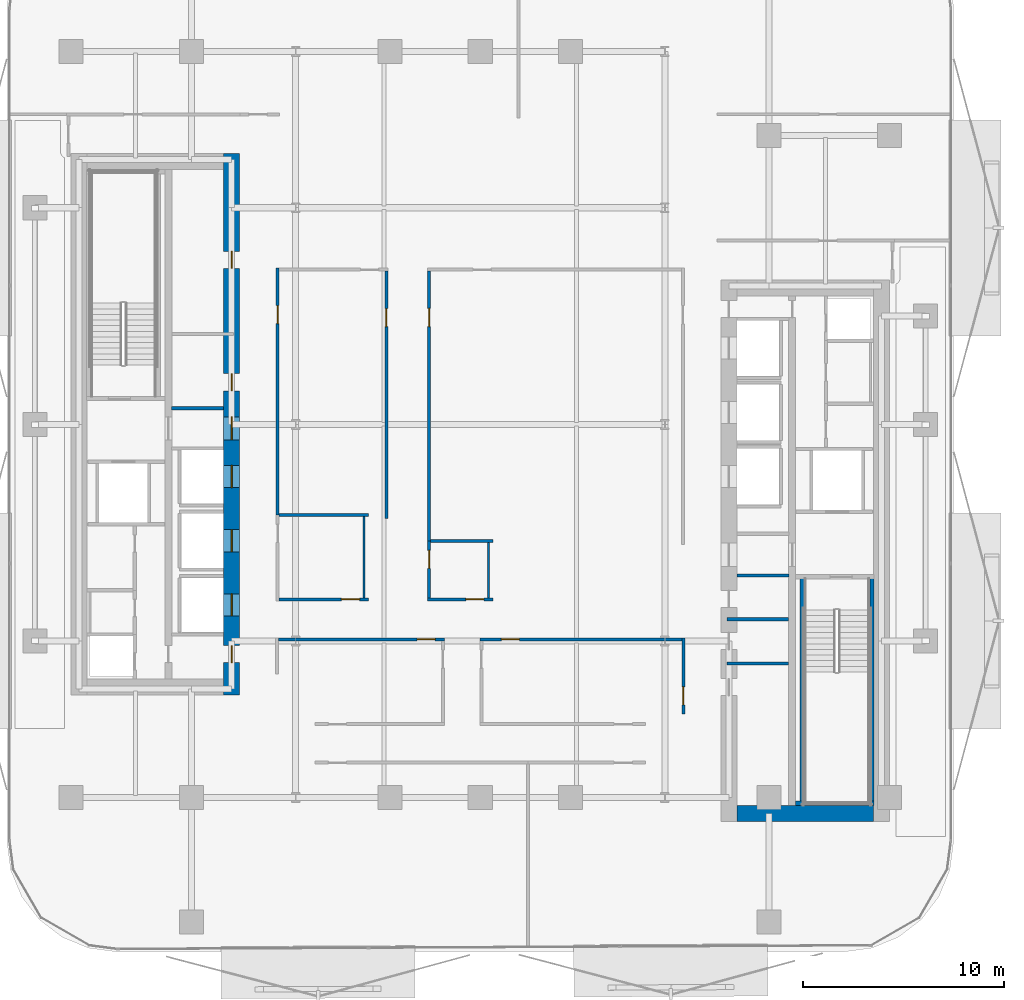
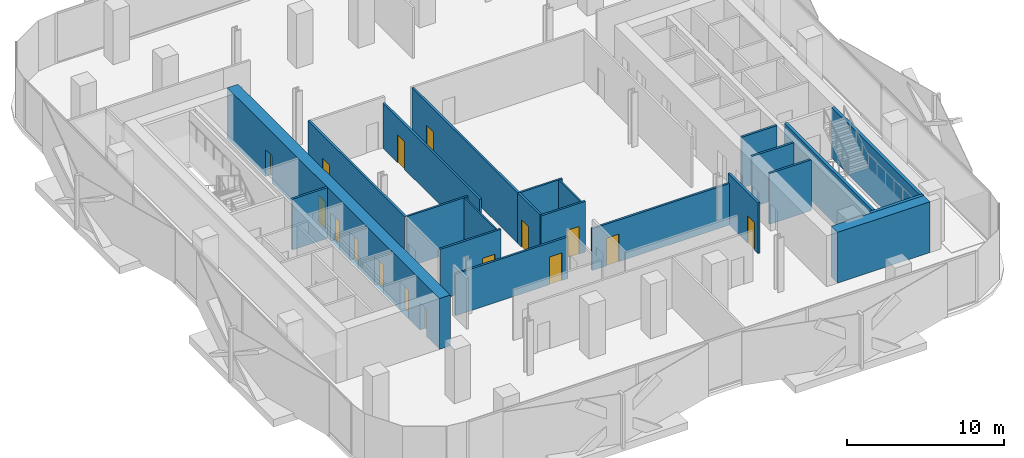
# One storey, part 4 of 16: 22 walls, 16 doors, 16 openings.
"""IFC4 building model written with IfcOpenShell, lengths in metres."""

from ifc_helpers import new_model, si_unit, direction, frame, frame_2d, origin, place, context, subcontext, project, spatial, rectangle, extrude, material, layer, layer_set, type_object, element, fill, save


model = new_model("IFC4")

# Units and contexts
model_context = context("Model", 3, precision=1e-05, world=origin(), true_north=direction((0.0, 1.0)))
body_context = subcontext(model_context, "Body", "Model", "MODEL_VIEW")
ifc_project = project(units=[si_unit("LENGTHUNIT", "METRE"), si_unit("AREAUNIT", "SQUARE_METRE"), si_unit("VOLUMEUNIT", "CUBIC_METRE"), si_unit("PLANEANGLEUNIT", "RADIAN"), si_unit("MASSUNIT", "GRAM", prefix="KILO")], contexts=[model_context])

# Site, building, storey
site_placement = place(None, origin())
site = spatial("IfcSite", under=ifc_project, at=site_placement, CompositionType="ELEMENT")
building_placement = place(site_placement, origin())
building = spatial("IfcBuilding", under=site, at=building_placement, Name="Khairoan Windgate Tower", CompositionType="ELEMENT")
storey_placement = place(building_placement, frame((0.0, 0.0, 97.39990234375)))
storey = spatial("IfcBuildingStorey", under=building, at=storey_placement, Name="L22", CompositionType="ELEMENT", Elevation=97.39990234375)

# Walls
ifc_material_1 = material(Name="Moisture-Resistant Gypsum Partition", Category="gypsum")
ifc_layer_1 = layer(ifc_material_1, 0.10009765625, Name="Moisture-Resistant Gypsum Partition")
ifc_layer_set_1 = layer_set([ifc_layer_1], Name="Moisture-Resistant Gypsum Partition")
wall_type_1 = type_object("IfcWallType", Name="Bathroom Wet-Area Partition Wall", PredefinedType="PARTITIONING", material=ifc_layer_set_1)
wall_1_placement = place(storey_placement, frame((0.39990234375, -5.889892578125, 0.0), z_axis=(0.0, 0.0, 1.0), x_axis=(0.0, -1.0, 0.0)))
element("IfcWall", 1, at=wall_1_placement, inside=storey, type_object=wall_type_1, Name="L22 Wet Room Side Wall 048", PredefinedType="PARTITIONING", context=body_context, shape_type="SweptSolid", body=[
    extrude(rectangle(XDim=2.755126953125, YDim=0.10009765625, at=frame_2d((1.37744140625, 0.0))), origin(), (0.0, 0.0, 1.0), 3.940185546875),
])
wall_2_placement = place(storey_placement, frame((-5.800048828125, -4.590087890625, 0.0), z_axis=(0.0, 0.0, 1.0), x_axis=(0.0, -1.0, 0.0)))
element("IfcWall", 2, at=wall_2_placement, inside=storey, type_object=wall_type_1, Name="L22 Wet Room Side Wall 049", PredefinedType="PARTITIONING", context=body_context, shape_type="SweptSolid", body=[
    extrude(rectangle(XDim=4.054931640625, YDim=0.10009765625, at=frame_2d((2.02734375, 0.0))), origin(), (0.0, 0.0, 1.0), 3.940185546875),
])
ifc_material_2 = material(Name="Concrete C40/50", Category="concrete")
ifc_layer_2 = layer(ifc_material_2, 0.159912109375, Name="Concrete C40/50")
ifc_layer_set_2 = layer_set([ifc_layer_2], Name="Concrete C40/50")
wall_type_2 = type_object("IfcWallType", Name="Core and Hoistway Enclosure Wall", PredefinedType="STANDARD", material=ifc_layer_set_2)
for number, where, z_axis, x_axis, name in (
    (3, (-15.39990234375, 0.800048828125, 0.0), (0.0, 0.0, 1.0), (1.0, 0.0, 0.0), "L22 Core Shaft Wall SW-WV1-L22"),
    (4, (12.800048828125, -7.5400390625, 0.0), (0.0, 0.0, 1.0), (1.0, 0.0, 0.0), "L22 Core Shaft Wall SW-EV2-L22"),
):
    element("IfcWall", number, at=place(storey_placement, frame(where, z_axis=z_axis, x_axis=x_axis)), inside=storey, type_object=wall_type_2, Name=name, PredefinedType="STANDARD", context=body_context, shape_type="SweptSolid", body=[
        extrude(rectangle(XDim=2.599853515625, YDim=0.159912109375, at=frame_2d((1.2998046875, 0.0))), origin(), (0.0, 0.0, 1.0), 3.940185546875),
    ])
ifc_material_3 = material(Name="Acoustic Fire-Rated Gypsum Partition", Category="gypsum")
ifc_layer_3 = layer(ifc_material_3, 0.139892578125, Name="Acoustic Fire-Rated Gypsum Partition")
ifc_layer_set_3 = layer_set([ifc_layer_3], Name="Acoustic Fire-Rated Gypsum Partition")
wall_type_3 = type_object("IfcWallType", Name="Inter-Tenancy Compartment Wall", PredefinedType="PARTITIONING", material=ifc_layer_set_3)
wall_3_placement = place(storey_placement, frame((-2.469970703125, -5.820068359375, 0.0), z_axis=(0.0, 0.0, 1.0), x_axis=(1.0, 0.0, 0.0)))
element("IfcWall", 5, at=wall_3_placement, inside=storey, type_object=wall_type_3, Name="L22 Interior Partition 044", PredefinedType="PARTITIONING", context=body_context, shape_type="SweptSolid", body=[
    extrude(rectangle(XDim=3.10986328125, YDim=0.139892578125, at=frame_2d((1.554931640625, 0.0))), origin(), (0.0, 0.0, 1.0), 3.940185546875),
])
wall_4_placement = place(storey_placement, frame((-10.02490234375, -4.52001953125, 0.0), z_axis=(0.0, 0.0, 1.0), x_axis=(1.0, 0.0, 0.0)))
element("IfcWall", 6, at=wall_4_placement, inside=storey, type_object=wall_type_3, Name="L22 Interior Partition 045", PredefinedType="PARTITIONING", context=body_context, shape_type="SweptSolid", body=[
    extrude(rectangle(XDim=4.46484375, YDim=0.139892578125, at=frame_2d((2.232421875, 0.0))), origin(), (0.0, 0.0, 1.0), 3.940185546875),
])
ifc_material_4 = material(Name="Concrete C40/50", Category="concrete")
ifc_layer_4 = layer(ifc_material_4, 0.159912109375, Name="Concrete C40/50")
ifc_layer_set_4 = layer_set([ifc_layer_4], Name="Concrete C40/50")
wall_type_4 = type_object("IfcWallType", Name="Plant and Refuge Compartment Wall", PredefinedType="PARTITIONING", material=ifc_layer_set_4)
for number, where, z_axis, x_axis, name in (
    (7, (12.31005859375, -11.919921875, 0.0), (0.0, 0.0, 1.0), (1.0, 0.0, 0.0), "L22 Interior Partition 012"),
    (8, (12.31005859375, -9.719970703125, 0.0), (0.0, 0.0, 1.0), (1.0, 0.0, 0.0), "L22 Interior Partition 013"),
):
    element("IfcWall", number, at=place(storey_placement, frame(where, z_axis=z_axis, x_axis=x_axis)), inside=storey, type_object=wall_type_4, Name=name, PredefinedType="PARTITIONING", context=body_context, shape_type="SweptSolid", body=[
        extrude(rectangle(XDim=3.06494140625, YDim=0.159912109375, at=frame_2d((1.532470703125, 0.0))), origin(), (0.0, 0.0, 1.0), 3.940185546875),
    ])

# Wall, opening, door
ifc_material_5 = material(Name="Acoustic Fire-Rated Gypsum Partition", Category="gypsum")
ifc_layer_5 = layer(ifc_material_5, 0.14990234375, Name="Acoustic Fire-Rated Gypsum Partition")
ifc_layer_set_5 = layer_set([ifc_layer_5], Name="Acoustic Fire-Rated Gypsum Partition")
wall_type_5 = type_object("IfcWallType", Name="Rated Corridor Partition Wall", PredefinedType="PARTITIONING", material=ifc_layer_set_5)
wall_5_placement = place(storey_placement, frame((-10.10009765625, -4.52001953125, 0.0), z_axis=(0.0, 0.0, 1.0), x_axis=(0.0, 1.0, 0.0)))
wall_5 = element("IfcWall", 9, at=wall_5_placement, inside=storey, type_object=wall_type_5, Name="L22 Interior Partition 016", PredefinedType="PARTITIONING", context=body_context, shape_type="SweptSolid", body=[
    extrude(rectangle(XDim=12.31494140625, YDim=0.14990234375, at=frame_2d((6.157470703125, 0.0))), origin(), (0.0, 0.0, 1.0), 3.940185546875),
])
opening_1_placement = place(wall_5_placement, frame((9.542236328125, 0.0, 0.0)))
opening_1 = element("IfcOpeningElement", 10, at=opening_1_placement, cuts=wall_5, Name="Opening FD-ENT", PredefinedType="OPENING", context=body_context, shape_type="SweptSolid", body=[
    extrude(rectangle(XDim=0.89990234375, YDim=2.14990234375, at=frame_2d((0.449951171875, 1.074951171875))), frame((0.0, 0.0849609375, 0.0), z_axis=(0.0, -1.0, 0.0), x_axis=(1.0, 0.0, 0.0)), (0.0, 0.0, 1.0), 0.169921875),
])
ifc_material_6 = material(Name="Timber Fire-Rated Core", Category="wood")
door_type_1 = type_object("IfcDoorType", Name="Unit and Office Fire Entrance Door FD-ENT 900x2150", OperationType="NOTDEFINED", PredefinedType="DOOR", material=ifc_material_6)
door_1_placement = place(opening_1_placement, origin())
door_1 = element("IfcDoor", 11, at=door_1_placement, inside=storey, type_object=door_type_1, Name="L22 L22-30-L22-49 Door", OperationType="SINGLE_SWING_RIGHT", OverallHeight=2.14990234375, OverallWidth=0.89990234375, PredefinedType="DOOR", context=body_context, shape_type="SweptSolid", body=[
    extrude(rectangle(XDim=0.89990234375, YDim=2.14990234375, at=frame_2d((0.449951171875, 1.074951171875))), frame((0.0, 0.02490234375, 0.0), z_axis=(0.0, -1.0, 0.0), x_axis=(1.0, 0.0, 0.0)), (0.0, 0.0, 1.0), 0.050048828125),
])
fill(opening_1, door_1)

wall_6_placement = place(storey_placement, frame((10.125, -14.43994140625, 0.0), z_axis=(0.0, 0.0, 1.0), x_axis=(0.0, 1.0, 0.0)))
wall_6 = element("IfcWall", 12, at=wall_6_placement, inside=storey, type_object=wall_type_5, Name="L22 Interior Partition 019", PredefinedType="PARTITIONING", context=body_context, shape_type="SweptSolid", body=[
    extrude(rectangle(XDim=3.800048828125, YDim=0.14990234375, at=frame_2d((1.89990234375, 0.0))), origin(), (0.0, 0.0, 1.0), 3.940185546875),
])
opening_2_placement = place(wall_6_placement, frame((0.4599609375, 0.0, 0.0)))
opening_2 = element("IfcOpeningElement", 13, at=opening_2_placement, cuts=wall_6, Name="Opening FD-ENT", PredefinedType="OPENING", context=body_context, shape_type="SweptSolid", body=[
    extrude(rectangle(XDim=0.89990234375, YDim=2.14990234375, at=frame_2d((0.449951171875, 1.074951171875))), frame((0.0, 0.0849609375, 0.0), z_axis=(0.0, -1.0, 0.0), x_axis=(1.0, 0.0, 0.0)), (0.0, 0.0, 1.0), 0.169921875),
])
door_2_placement = place(opening_2_placement, origin())
door_2 = element("IfcDoor", 14, at=door_2_placement, inside=storey, type_object=door_type_1, Name="L22 L22-31-L22-51 Door", OperationType="SINGLE_SWING_LEFT", OverallHeight=2.14990234375, OverallWidth=0.89990234375, PredefinedType="DOOR", context=body_context, shape_type="SweptSolid", body=[
    extrude(rectangle(XDim=0.89990234375, YDim=2.14990234375, at=frame_2d((0.449951171875, 1.074951171875))), frame((0.0, 0.02490234375, 0.0), z_axis=(0.0, -1.0, 0.0), x_axis=(1.0, 0.0, 0.0)), (0.0, 0.0, 1.0), 0.050048828125),
])
fill(opening_2, door_2)

wall_7_placement = place(storey_placement, frame((-2.6201171875, -8.719970703125, 0.0), z_axis=(0.0, 0.0, 1.0), x_axis=(1.0, 0.0, 0.0)))
wall_7 = element("IfcWall", 15, at=wall_7_placement, inside=storey, type_object=wall_type_5, Name="L22 Interior Partition 022", PredefinedType="PARTITIONING", context=body_context, shape_type="SweptSolid", body=[
    extrude(rectangle(XDim=3.260009765625, YDim=0.14990234375, at=frame_2d((1.6298828125, 0.0))), origin(), (0.0, 0.0, 1.0), 3.940185546875),
])
opening_3_placement = place(wall_7_placement, frame((1.89990234375, 0.0, 0.0)))
opening_3 = element("IfcOpeningElement", 16, at=opening_3_placement, cuts=wall_7, Name="Opening FD-ENT", PredefinedType="OPENING", context=body_context, shape_type="SweptSolid", body=[
    extrude(rectangle(XDim=0.89990234375, YDim=2.14990234375, at=frame_2d((0.449951171875, 1.074951171875))), frame((0.0, 0.0849609375, 0.0), z_axis=(0.0, -1.0, 0.0), x_axis=(1.0, 0.0, 0.0)), (0.0, 0.0, 1.0), 0.169921875),
])
door_3_placement = place(opening_3_placement, origin())
door_3 = element("IfcDoor", 17, at=door_3_placement, inside=storey, type_object=door_type_1, Name="L22 L22-33-L22-46 Door", OperationType="SINGLE_SWING_RIGHT", OverallHeight=2.14990234375, OverallWidth=0.89990234375, PredefinedType="DOOR", context=body_context, shape_type="SweptSolid", body=[
    extrude(rectangle(XDim=0.89990234375, YDim=2.14990234375, at=frame_2d((0.449951171875, 1.074951171875))), frame((0.0, 0.02490234375, 0.0), z_axis=(0.0, -1.0, 0.0), x_axis=(1.0, 0.0, 0.0)), (0.0, 0.0, 1.0), 0.050048828125),
])
fill(opening_3, door_3)

wall_8_placement = place(storey_placement, frame((-10.02490234375, -8.719970703125, 0.0), z_axis=(0.0, 0.0, 1.0), x_axis=(1.0, 0.0, 0.0)))
wall_8 = element("IfcWall", 18, at=wall_8_placement, inside=storey, type_object=wall_type_5, Name="L22 Interior Partition 023", PredefinedType="PARTITIONING", context=body_context, shape_type="SweptSolid", body=[
    extrude(rectangle(XDim=4.46484375, YDim=0.14990234375, at=frame_2d((2.232421875, 0.0))), origin(), (0.0, 0.0, 1.0), 3.940185546875),
])
opening_4_placement = place(wall_8_placement, frame((3.10498046875, 0.0, 0.0)))
opening_4 = element("IfcOpeningElement", 19, at=opening_4_placement, cuts=wall_8, Name="Opening FD-ENT", PredefinedType="OPENING", context=body_context, shape_type="SweptSolid", body=[
    extrude(rectangle(XDim=0.89990234375, YDim=2.14990234375, at=frame_2d((0.449951171875, 1.074951171875))), frame((0.0, 0.0849609375, 0.0), z_axis=(0.0, -1.0, 0.0), x_axis=(1.0, 0.0, 0.0)), (0.0, 0.0, 1.0), 0.169921875),
])
door_4_placement = place(opening_4_placement, origin())
door_4 = element("IfcDoor", 20, at=door_4_placement, inside=storey, type_object=door_type_1, Name="L22 L22-33-L22-48 Door", OperationType="SINGLE_SWING_LEFT", OverallHeight=2.14990234375, OverallWidth=0.89990234375, PredefinedType="DOOR", context=body_context, shape_type="SweptSolid", body=[
    extrude(rectangle(XDim=0.89990234375, YDim=2.14990234375, at=frame_2d((0.449951171875, 1.074951171875))), frame((0.0, 0.02490234375, 0.0), z_axis=(0.0, -1.0, 0.0), x_axis=(1.0, 0.0, 0.0)), (0.0, 0.0, 1.0), 0.050048828125),
])
fill(opening_4, door_4)

wall_9_placement = place(storey_placement, frame((-10.050048828125, -10.715087890625, 0.0), z_axis=(0.0, 0.0, 1.0), x_axis=(1.0, 0.0, 0.0)))
wall_9 = element("IfcWall", 21, at=wall_9_placement, inside=storey, type_object=wall_type_5, Name="L22 Interior Partition 024", PredefinedType="PARTITIONING", context=body_context, shape_type="SweptSolid", body=[
    extrude(rectangle(XDim=8.26513671875, YDim=0.14990234375, at=frame_2d((4.132568359375, 0.0))), origin(), (0.0, 0.0, 1.0), 3.239990234375),
])
opening_5_placement = place(wall_9_placement, frame((6.905029296875, 0.0, 0.0)))
opening_5 = element("IfcOpeningElement", 22, at=opening_5_placement, cuts=wall_9, Name="Opening FD-ENT", PredefinedType="OPENING", context=body_context, shape_type="SweptSolid", body=[
    extrude(rectangle(XDim=0.89990234375, YDim=2.14990234375, at=frame_2d((0.449951171875, 1.074951171875))), frame((0.0, 0.0849609375, 0.0), z_axis=(0.0, -1.0, 0.0), x_axis=(1.0, 0.0, 0.0)), (0.0, 0.0, 1.0), 0.169921875),
])
door_5_placement = place(opening_5_placement, origin())
door_5 = element("IfcDoor", 23, at=door_5_placement, inside=storey, type_object=door_type_1, Name="L22 L22-33-L22-50 Door", OperationType="SINGLE_SWING_RIGHT", OverallHeight=2.14990234375, OverallWidth=0.89990234375, PredefinedType="DOOR", context=body_context, shape_type="SweptSolid", body=[
    extrude(rectangle(XDim=0.89990234375, YDim=2.14990234375, at=frame_2d((0.449951171875, 1.074951171875))), frame((0.0, 0.02490234375, 0.0), z_axis=(0.0, -1.0, 0.0), x_axis=(1.0, 0.0, 0.0)), (0.0, 0.0, 1.0), 0.050048828125),
])
fill(opening_5, door_5)

wall_10_placement = place(storey_placement, frame((-0.014892578125, -10.715087890625, 0.0), z_axis=(0.0, 0.0, 1.0), x_axis=(1.0, 0.0, 0.0)))
wall_10 = element("IfcWall", 24, at=wall_10_placement, inside=storey, type_object=wall_type_5, Name="L22 Interior Partition 025", PredefinedType="PARTITIONING", context=body_context, shape_type="SweptSolid", body=[
    extrude(rectangle(XDim=10.06494140625, YDim=0.14990234375, at=frame_2d((5.032470703125, 0.0))), origin(), (0.0, 0.0, 1.0), 3.239990234375),
])
opening_6_placement = place(wall_10_placement, frame((1.063232421875, 0.0, 0.0)))
opening_6 = element("IfcOpeningElement", 25, at=opening_6_placement, cuts=wall_10, Name="Opening FD-ENT", PredefinedType="OPENING", context=body_context, shape_type="SweptSolid", body=[
    extrude(rectangle(XDim=0.89990234375, YDim=2.14990234375, at=frame_2d((0.449951171875, 1.074951171875))), frame((0.0, 0.0849609375, 0.0), z_axis=(0.0, -1.0, 0.0), x_axis=(1.0, 0.0, 0.0)), (0.0, 0.0, 1.0), 0.169921875),
])
door_6_placement = place(opening_6_placement, origin())
door_6 = element("IfcDoor", 26, at=door_6_placement, inside=storey, type_object=door_type_1, Name="L22 L22-33-L22-51 Door", OperationType="SINGLE_SWING_LEFT", OverallHeight=2.14990234375, OverallWidth=0.89990234375, PredefinedType="DOOR", context=body_context, shape_type="SweptSolid", body=[
    extrude(rectangle(XDim=0.89990234375, YDim=2.14990234375, at=frame_2d((0.449951171875, 1.074951171875))), frame((0.0, 0.02490234375, 0.0), z_axis=(0.0, -1.0, 0.0), x_axis=(1.0, 0.0, 0.0)), (0.0, 0.0, 1.0), 0.050048828125),
])
fill(opening_6, door_6)

wall_11_placement = place(storey_placement, frame((-2.544921875, -8.64501953125, 0.0), z_axis=(0.0, 0.0, 1.0), x_axis=(0.0, 1.0, 0.0)))
wall_11 = element("IfcWall", 27, at=wall_11_placement, inside=storey, type_object=wall_type_5, Name="L22 Interior Partition 026", PredefinedType="PARTITIONING", context=body_context, shape_type="SweptSolid", body=[
    extrude(rectangle(XDim=2.824951171875, YDim=0.14990234375, at=frame_2d((1.41259765625, 0.0))), origin(), (0.0, 0.0, 1.0), 3.940185546875),
])
opening_7_placement = place(wall_11_placement, frame((1.465087890625, 0.0, 0.0)))
opening_7 = element("IfcOpeningElement", 28, at=opening_7_placement, cuts=wall_11, Name="Opening FD-ENT", PredefinedType="OPENING", context=body_context, shape_type="SweptSolid", body=[
    extrude(rectangle(XDim=0.89990234375, YDim=2.14990234375, at=frame_2d((0.449951171875, 1.074951171875))), frame((0.0, 0.0849609375, 0.0), z_axis=(0.0, -1.0, 0.0), x_axis=(1.0, 0.0, 0.0)), (0.0, 0.0, 1.0), 0.169921875),
])
door_7_placement = place(opening_7_placement, origin())
door_7 = element("IfcDoor", 29, at=door_7_placement, inside=storey, type_object=door_type_1, Name="L22 L22-34-L22-46 Door", OperationType="SINGLE_SWING_RIGHT", OverallHeight=2.14990234375, OverallWidth=0.89990234375, PredefinedType="DOOR", context=body_context, shape_type="SweptSolid", body=[
    extrude(rectangle(XDim=0.89990234375, YDim=2.14990234375, at=frame_2d((0.449951171875, 1.074951171875))), frame((0.0, 0.02490234375, 0.0), z_axis=(0.0, -1.0, 0.0), x_axis=(1.0, 0.0, 0.0)), (0.0, 0.0, 1.0), 0.050048828125),
])
fill(opening_7, door_7)

wall_12_placement = place(storey_placement, frame((-2.544921875, -5.820068359375, 0.0), z_axis=(0.0, 0.0, 1.0), x_axis=(0.0, 1.0, 0.0)))
wall_12 = element("IfcWall", 30, at=wall_12_placement, inside=storey, type_object=wall_type_5, Name="L22 Interior Partition 027", PredefinedType="PARTITIONING", context=body_context, shape_type="SweptSolid", body=[
    extrude(rectangle(XDim=13.465087890625, YDim=0.14990234375, at=frame_2d((6.732421875, 0.0))), origin(), (0.0, 0.0, 1.0), 3.940185546875),
])
opening_8_placement = place(wall_12_placement, frame((10.69970703125, 0.0, 0.0)))
opening_8 = element("IfcOpeningElement", 31, at=opening_8_placement, cuts=wall_12, Name="Opening FD-ENT", PredefinedType="OPENING", context=body_context, shape_type="SweptSolid", body=[
    extrude(rectangle(XDim=0.89990234375, YDim=2.14990234375, at=frame_2d((0.449951171875, 1.074951171875))), frame((0.0, 0.0849609375, 0.0), z_axis=(0.0, -1.0, 0.0), x_axis=(1.0, 0.0, 0.0)), (0.0, 0.0, 1.0), 0.169921875),
])
door_8_placement = place(opening_8_placement, origin())
door_8 = element("IfcDoor", 32, at=door_8_placement, inside=storey, type_object=door_type_1, Name="L22 L22-34-L22-47 Door", OperationType="SINGLE_SWING_LEFT", OverallHeight=2.14990234375, OverallWidth=0.89990234375, PredefinedType="DOOR", context=body_context, shape_type="SweptSolid", body=[
    extrude(rectangle(XDim=0.89990234375, YDim=2.14990234375, at=frame_2d((0.449951171875, 1.074951171875))), frame((0.0, 0.02490234375, 0.0), z_axis=(0.0, -1.0, 0.0), x_axis=(1.0, 0.0, 0.0)), (0.0, 0.0, 1.0), 0.050048828125),
])
fill(opening_8, door_8)

wall_13_placement = place(storey_placement, frame((-4.679931640625, -4.679931640625, 0.0), z_axis=(0.0, 0.0, 1.0), x_axis=(0.0, 1.0, 0.0)))
wall_13 = element("IfcWall", 33, at=wall_13_placement, inside=storey, type_object=wall_type_5, Name="L22 Interior Partition 028", PredefinedType="PARTITIONING", context=body_context, shape_type="SweptSolid", body=[
    extrude(rectangle(XDim=12.324951171875, YDim=0.14990234375, at=frame_2d((6.16259765625, 0.0))), origin(), (0.0, 0.0, 1.0), 3.489990234375),
])
opening_9_placement = place(wall_13_placement, frame((9.55078125, 0.0, 0.0)))
opening_9 = element("IfcOpeningElement", 34, at=opening_9_placement, cuts=wall_13, Name="Opening FD-ENT", PredefinedType="OPENING", context=body_context, shape_type="SweptSolid", body=[
    extrude(rectangle(XDim=0.89990234375, YDim=2.14990234375, at=frame_2d((0.449951171875, 1.074951171875))), frame((0.0, 0.0849609375, 0.0), z_axis=(0.0, -1.0, 0.0), x_axis=(1.0, 0.0, 0.0)), (0.0, 0.0, 1.0), 0.169921875),
])
door_9_placement = place(opening_9_placement, origin())
door_9 = element("IfcDoor", 35, at=door_9_placement, inside=storey, type_object=door_type_1, Name="L22 L22-34-L22-49 Door", OperationType="SINGLE_SWING_RIGHT", OverallHeight=2.14990234375, OverallWidth=0.89990234375, PredefinedType="DOOR", context=body_context, shape_type="SweptSolid", body=[
    extrude(rectangle(XDim=0.89990234375, YDim=2.14990234375, at=frame_2d((0.449951171875, 1.074951171875))), frame((0.0, 0.02490234375, 0.0), z_axis=(0.0, -1.0, 0.0), x_axis=(1.0, 0.0, 0.0)), (0.0, 0.0, 1.0), 0.050048828125),
])
fill(opening_9, door_9)

# Wall
ifc_material_7 = material(Name="Concrete C70/85", Category="concrete")
ifc_layer_6 = layer(ifc_material_7, 0.800048828125, Name="Concrete C70/85")
ifc_layer_set_6 = layer_set([ifc_layer_6], Name="Concrete C70/85")
wall_type_6 = type_object("IfcWallType", Name="Shear Wall CW-E1 800mm", PredefinedType="SHEAR", material=ifc_layer_set_6)
wall_14_placement = place(storey_placement, frame((12.800048828125, -19.39990234375, 0.0), z_axis=(0.0, 0.0, 1.0), x_axis=(1.0, 0.0, 0.0)))
element("IfcWall", 36, at=wall_14_placement, inside=storey, type_object=wall_type_6, Name="E Core South Shear Wall L22", PredefinedType="SHEAR", context=body_context, shape_type="SweptSolid", body=[
    extrude(rectangle(XDim=6.800048828125, YDim=0.800048828125, at=frame_2d((3.39990234375, 0.0))), origin(), (0.0, 0.0, 1.0), 3.940185546875),
])

# Wall, openings, doors
ifc_material_8 = material(Name="Concrete C70/85", Category="concrete")
ifc_layer_7 = layer(ifc_material_8, 0.800048828125, Name="Concrete C70/85")
ifc_layer_set_7 = layer_set([ifc_layer_7], Name="Concrete C70/85")
wall_type_7 = type_object("IfcWallType", Name="Shear Wall CW-W1 800mm", PredefinedType="SHEAR", material=ifc_layer_set_7)
wall_15_placement = place(storey_placement, frame((-12.39990234375, -13.5, 0.0), z_axis=(0.0, 0.0, 1.0), x_axis=(0.0, 1.0, 0.0)))
wall_15 = element("IfcWall", 37, at=wall_15_placement, inside=storey, type_object=wall_type_7, Name="W Core East Shear Wall L22", PredefinedType="SHEAR", context=body_context, shape_type="SweptSolid", body=[
    extrude(rectangle(XDim=27.0, YDim=0.800048828125, at=frame_2d((13.5, 0.0))), origin(), (0.0, 0.0, 1.0), 3.940185546875),
])
opening_10_placement = place(wall_15_placement, frame((10.35009765625, 0.0, 0.0)))
opening_10 = element("IfcOpeningElement", 38, at=opening_10_placement, cuts=wall_15, Name="Opening LD-PL", PredefinedType="OPENING", context=body_context, shape_type="SweptSolid", body=[
    extrude(rectangle(XDim=1.10009765625, YDim=2.199951171875, at=frame_2d((0.550048828125, 1.10009765625))), frame((0.0, 0.409912109375, 0.0), z_axis=(0.0, -1.0, 0.0), x_axis=(1.0, 0.0, 0.0)), (0.0, 0.0, 1.0), 0.820068359375),
])
opening_11_placement = place(wall_15_placement, frame((7.14990234375, 0.0, 0.0)))
opening_11 = element("IfcOpeningElement", 39, at=opening_11_placement, cuts=wall_15, Name="Opening LD-PL", PredefinedType="OPENING", context=body_context, shape_type="SweptSolid", body=[
    extrude(rectangle(XDim=1.10009765625, YDim=2.199951171875, at=frame_2d((0.550048828125, 1.10009765625))), frame((0.0, 0.409912109375, 0.0), z_axis=(0.0, -1.0, 0.0), x_axis=(1.0, 0.0, 0.0)), (0.0, 0.0, 1.0), 0.820068359375),
])
opening_12_placement = place(wall_15_placement, frame((3.949951171875, 0.0, 0.0)))
opening_12 = element("IfcOpeningElement", 40, at=opening_12_placement, cuts=wall_15, Name="Opening LD-PL", PredefinedType="OPENING", context=body_context, shape_type="SweptSolid", body=[
    extrude(rectangle(XDim=1.10009765625, YDim=2.199951171875, at=frame_2d((0.550048828125, 1.10009765625))), frame((0.0, 0.409912109375, 0.0), z_axis=(0.0, -1.0, 0.0), x_axis=(1.0, 0.0, 0.0)), (0.0, 0.0, 1.0), 0.820068359375),
])
opening_13_placement = place(wall_15_placement, frame((15.175048828125, 0.0, 0.0)))
opening_13 = element("IfcOpeningElement", 41, at=opening_13_placement, cuts=wall_15, Name="Opening FD-SRV", PredefinedType="OPENING", context=body_context, shape_type="SweptSolid", body=[
    extrude(rectangle(XDim=0.85009765625, YDim=2.10009765625, at=frame_2d((0.425048828125, 1.050048828125))), frame((0.0, 0.409912109375, 0.0), z_axis=(0.0, -1.0, 0.0), x_axis=(1.0, 0.0, 0.0)), (0.0, 0.0, 1.0), 0.820068359375),
])
opening_14_placement = place(wall_15_placement, frame((21.27490234375, 0.0, 0.0)))
opening_14 = element("IfcOpeningElement", 42, at=opening_14_placement, cuts=wall_15, Name="Opening FD-SRV", PredefinedType="OPENING", context=body_context, shape_type="SweptSolid", body=[
    extrude(rectangle(XDim=0.85009765625, YDim=2.10009765625, at=frame_2d((0.425048828125, 1.050048828125))), frame((0.0, 0.409912109375, 0.0), z_axis=(0.0, -1.0, 0.0), x_axis=(1.0, 0.0, 0.0)), (0.0, 0.0, 1.0), 0.820068359375),
])
opening_15_placement = place(wall_15_placement, frame((12.72509765625, 0.0, 0.0)))
opening_15 = element("IfcOpeningElement", 43, at=opening_15_placement, cuts=wall_15, Name="Opening FD-FFL", PredefinedType="OPENING", context=body_context, shape_type="SweptSolid", body=[
    extrude(rectangle(XDim=1.14990234375, YDim=2.199951171875, at=frame_2d((0.574951171875, 1.10009765625))), frame((0.0, 0.409912109375, 0.0), z_axis=(0.0, -1.0, 0.0), x_axis=(1.0, 0.0, 0.0)), (0.0, 0.0, 1.0), 0.820068359375),
])
opening_16_placement = place(wall_15_placement, frame((1.625, 0.0, 0.0)))
opening_16 = element("IfcOpeningElement", 44, at=opening_16_placement, cuts=wall_15, Name="Opening FD-SRV", PredefinedType="OPENING", context=body_context, shape_type="SweptSolid", body=[
    extrude(rectangle(XDim=0.85009765625, YDim=2.10009765625, at=frame_2d((0.425048828125, 1.050048828125))), frame((0.0, 0.409912109375, 0.0), z_axis=(0.0, -1.0, 0.0), x_axis=(1.0, 0.0, 0.0)), (0.0, 0.0, 1.0), 0.820068359375),
])
ifc_material_9 = material(Name="Steel S355", Category="steel")
door_type_2 = type_object("IfcDoorType", Name="Core Service and Riser Fire Door FD-SRV 850x2100", OperationType="NOTDEFINED", PredefinedType="DOOR", material=ifc_material_9)
door_10_placement = place(opening_13_placement, origin())
door_10 = element("IfcDoor", 45, at=door_10_placement, inside=storey, type_object=door_type_2, Name="L22 Upper Core Room Door B1-1", OperationType="SINGLE_SWING_LEFT", OverallHeight=2.10009765625, OverallWidth=0.85009765625, PredefinedType="DOOR", context=body_context, shape_type="SweptSolid", body=[
    extrude(rectangle(XDim=0.85009765625, YDim=2.10009765625, at=frame_2d((0.425048828125, 1.050048828125))), frame((0.0, 0.02490234375, 0.0), z_axis=(0.0, -1.0, 0.0), x_axis=(1.0, 0.0, 0.0)), (0.0, 0.0, 1.0), 0.050048828125),
])
fill(opening_13, door_10)
door_11_placement = place(opening_14_placement, origin())
door_11 = element("IfcDoor", 46, at=door_11_placement, inside=storey, type_object=door_type_2, Name="L22 Upper Core Room Door B1-2", OperationType="SINGLE_SWING_RIGHT", OverallHeight=2.10009765625, OverallWidth=0.85009765625, PredefinedType="DOOR", context=body_context, shape_type="SweptSolid", body=[
    extrude(rectangle(XDim=0.85009765625, YDim=2.10009765625, at=frame_2d((0.425048828125, 1.050048828125))), frame((0.0, 0.02490234375, 0.0), z_axis=(0.0, -1.0, 0.0), x_axis=(1.0, 0.0, 0.0)), (0.0, 0.0, 1.0), 0.050048828125),
])
fill(opening_14, door_11)
door_12_placement = place(opening_16_placement, origin())
door_12 = element("IfcDoor", 47, at=door_12_placement, inside=storey, type_object=door_type_2, Name="L22 West Core Service Vestibule Outer Door", OperationType="SINGLE_SWING_RIGHT", OverallHeight=2.10009765625, OverallWidth=0.85009765625, PredefinedType="DOOR", context=body_context, shape_type="SweptSolid", body=[
    extrude(rectangle(XDim=0.85009765625, YDim=2.10009765625, at=frame_2d((0.425048828125, 1.050048828125))), frame((0.0, 0.02490234375, 0.0), z_axis=(0.0, -1.0, 0.0), x_axis=(1.0, 0.0, 0.0)), (0.0, 0.0, 1.0), 0.050048828125),
])
fill(opening_16, door_12)
ifc_material_10 = material(Name="Steel S355", Category="steel")
door_type_3 = type_object("IfcDoorType", Name="Firefighting Lobby Fire Door FD-FFL 1150x2200", OperationType="NOTDEFINED", PredefinedType="DOOR", material=ifc_material_10)
door_13_placement = place(opening_15_placement, origin())
door_13 = element("IfcDoor", 48, at=door_13_placement, inside=storey, type_object=door_type_3, Name="L22 West Core Vestibule Entry Door", OperationType="SINGLE_SWING_RIGHT", OverallHeight=2.199951171875, OverallWidth=1.14990234375, PredefinedType="DOOR", context=body_context, shape_type="SweptSolid", body=[
    extrude(rectangle(XDim=1.14990234375, YDim=2.199951171875, at=frame_2d((0.574951171875, 1.10009765625))), frame((0.0, 0.02490234375, 0.0), z_axis=(0.0, -1.0, 0.0), x_axis=(1.0, 0.0, 0.0)), (0.0, 0.0, 1.0), 0.050048828125),
])
fill(opening_15, door_13)
ifc_material_11 = material(Name="Anodised Bronze Aluminium 6063-T6", Category="aluminium")
door_type_4 = type_object("IfcDoorType", Name="Passenger Lift Sliding Landing Door LD-PL 1100x2200", OperationType="DOUBLE_DOOR_SLIDING", PredefinedType="DOOR", material=ifc_material_11)
door_14_placement = place(opening_10_placement, origin())
door_14 = element("IfcDoor", 49, at=door_14_placement, inside=storey, type_object=door_type_4, Name="L22 Lift PL4 Sliding Landing Door", OperationType="DOUBLE_DOOR_SLIDING", OverallHeight=2.199951171875, OverallWidth=1.10009765625, PredefinedType="DOOR", context=body_context, shape_type="SweptSolid", body=[
    extrude(rectangle(XDim=1.10009765625, YDim=2.199951171875, at=frame_2d((0.550048828125, 1.10009765625))), frame((0.0, 0.02490234375, 0.0), z_axis=(0.0, -1.0, 0.0), x_axis=(1.0, 0.0, 0.0)), (0.0, 0.0, 1.0), 0.050048828125),
])
fill(opening_10, door_14)
door_15_placement = place(opening_11_placement, origin())
door_15 = element("IfcDoor", 50, at=door_15_placement, inside=storey, type_object=door_type_4, Name="L22 Lift PL5 Sliding Landing Door", OperationType="DOUBLE_DOOR_SLIDING", OverallHeight=2.199951171875, OverallWidth=1.10009765625, PredefinedType="DOOR", context=body_context, shape_type="SweptSolid", body=[
    extrude(rectangle(XDim=1.10009765625, YDim=2.199951171875, at=frame_2d((0.550048828125, 1.10009765625))), frame((0.0, 0.02490234375, 0.0), z_axis=(0.0, -1.0, 0.0), x_axis=(1.0, 0.0, 0.0)), (0.0, 0.0, 1.0), 0.050048828125),
])
fill(opening_11, door_15)
door_16_placement = place(opening_12_placement, origin())
door_16 = element("IfcDoor", 51, at=door_16_placement, inside=storey, type_object=door_type_4, Name="L22 Lift PL6 Sliding Landing Door", OperationType="DOUBLE_DOOR_SLIDING", OverallHeight=2.199951171875, OverallWidth=1.10009765625, PredefinedType="DOOR", context=body_context, shape_type="SweptSolid", body=[
    extrude(rectangle(XDim=1.10009765625, YDim=2.199951171875, at=frame_2d((0.550048828125, 1.10009765625))), frame((0.0, 0.02490234375, 0.0), z_axis=(0.0, -1.0, 0.0), x_axis=(1.0, 0.0, 0.0)), (0.0, 0.0, 1.0), 0.050048828125),
])
fill(opening_12, door_16)

# Walls
ifc_material_12 = material(Name="Concrete C50/60", Category="concrete")
ifc_layer_8 = layer(ifc_material_12, 0.219970703125, Name="Concrete C50/60")
ifc_layer_set_8 = layer_set([ifc_layer_8], Name="Concrete C50/60")
wall_type_8 = type_object("IfcWallType", Name="Shear Wall SW-ST 220mm", PredefinedType="SHEAR", material=ifc_layer_set_8)
for number, where, z_axis, x_axis, name in (
    (52, (16.0400390625, -18.889892578125, 0.0), (0.0, 0.0, 1.0), (0.0, 1.0, 0.0), "L22 Stair ST1 West Bearing Wall"),
    (53, (19.530029296875, -18.889892578125, 0.0), (0.0, 0.0, 1.0), (0.0, 1.0, 0.0), "L22 Stair ST1 East Bearing Wall"),
):
    element("IfcWall", number, at=place(storey_placement, frame(where, z_axis=z_axis, x_axis=x_axis)), inside=storey, type_object=wall_type_8, Name=name, PredefinedType="SHEAR", context=body_context, shape_type="SweptSolid", body=[
        extrude(rectangle(XDim=11.2998046875, YDim=0.219970703125, at=frame_2d((5.64990234375, 0.0))), origin(), (0.0, 0.0, 1.0), 3.940185546875),
    ])
wall_16_placement = place(storey_placement, frame((15.705078125, -18.889892578125, 0.0), z_axis=(0.0, 0.0, 1.0), x_axis=(1.0, 0.0, 0.0)))
element("IfcWall", 54, at=wall_16_placement, inside=storey, type_object=wall_type_8, Name="L22 Stair ST1 South Bearing Wall", PredefinedType="SHEAR", context=body_context, shape_type="SweptSolid", body=[
    extrude(rectangle(XDim=3.9150390625, YDim=0.219970703125, at=frame_2d((1.95751953125, 0.0))), origin(), (0.0, 0.0, 1.0), 3.940185546875),
])

save(model, "model.ifc")
